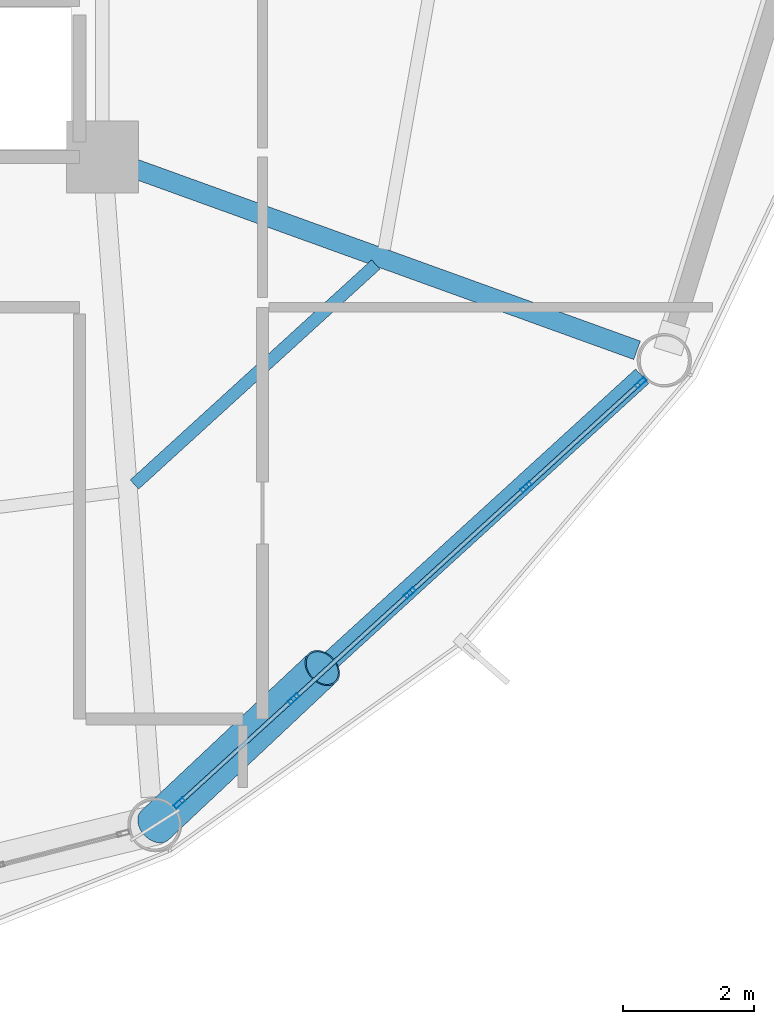
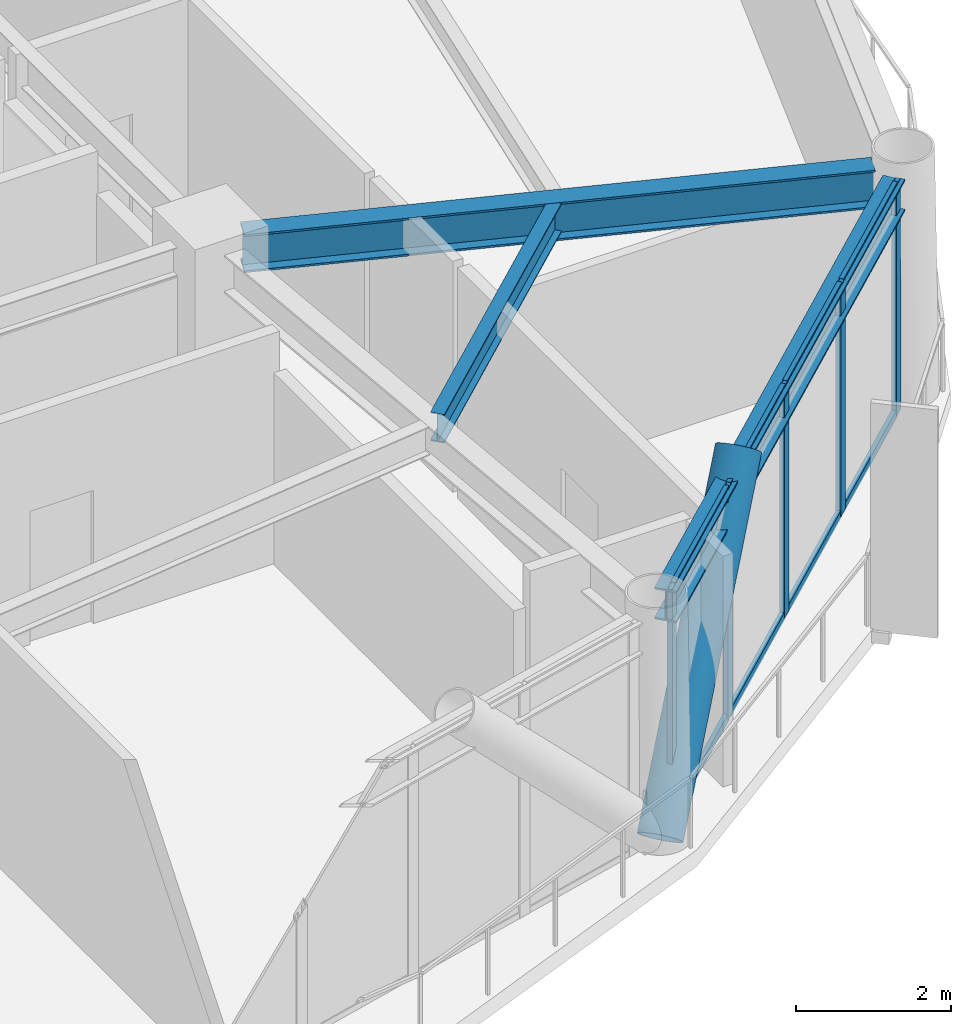
# One storey, part 12 of 24: 14 members, 3 beams, 1 element without a shape of its own.
"""IFC4 building model written with IfcOpenShell, lengths in metres."""

from ifc_helpers import new_model, si_unit, direction, frame, origin, origin_2d, place, context, subcontext, project, spatial, hollow_rectangle, hollow_circle, i_section, extrude, material, layer, layer_set, material_profile, profile_set, type_object, element, aggregate, save


model = new_model("IFC4")

# Units and contexts
model_context = context("Model", 3, precision=1e-05, world=origin(), true_north=direction((0.0, 1.0)))
body_context = subcontext(model_context, "Body", "Model", "MODEL_VIEW")
ifc_project = project(units=[si_unit("LENGTHUNIT", "METRE"), si_unit("AREAUNIT", "SQUARE_METRE"), si_unit("VOLUMEUNIT", "CUBIC_METRE"), si_unit("PLANEANGLEUNIT", "RADIAN"), si_unit("MASSUNIT", "GRAM", prefix="KILO")], contexts=[model_context])

# Site, building, storey
site_placement = place(None, origin())
site = spatial("IfcSite", under=ifc_project, at=site_placement, CompositionType="ELEMENT")
building_placement = place(site_placement, origin())
building = spatial("IfcBuilding", under=site, at=building_placement, Name="Varnakorn Sky Granary", CompositionType="ELEMENT")
storey_placement = place(building_placement, frame((0.0, 0.0, 111.0)))
storey = spatial("IfcBuildingStorey", under=building, at=storey_placement, Name="L27", CompositionType="ELEMENT", Elevation=111.0)

# Beams
ifc_material_1 = material(Name="Steel S355JR", Category="steel")
ifc_material_profile_1 = material_profile(ifc_material_1, i_section(OverallWidth=0.300048828125, OverallDepth=0.60009765625, WebThickness=0.015380859375, FlangeThickness=0.030029296875, at=origin_2d()), Name="HE 600 B")
ifc_profile_set_1 = profile_set([ifc_material_profile_1], Name="Steel S355JR")
beam_type_1 = type_object("IfcBeamType", Name="BM-RAD-Z2", PredefinedType="BEAM", material=ifc_profile_set_1)
beam_1_placement = place(storey_placement, frame((8.7451171875, -6.742919921875, 3.340087890625), z_axis=(0.940454447954, -0.339919742474, 0.0), x_axis=(0.339919742474, 0.940454447954, 0.0)))
element("IfcBeam", 1, at=beam_1_placement, inside=storey, type_object=beam_type_1, Name="Radial Floor Girder RG12 L27", PredefinedType="BEAM", context=body_context, shape_type="SweptSolid", body=[
    extrude(i_section(OverallWidth=0.300048828125, OverallDepth=0.60009765625, WebThickness=0.015380859375, FlangeThickness=0.030029296875, at=origin_2d()), origin(), (0.0, 0.0, 1.0), 8.28125),
])
ifc_material_profile_2 = material_profile(ifc_material_1, i_section(OverallWidth=0.18994140625, OverallDepth=0.449951171875, WebThickness=0.009521484375, FlangeThickness=0.0146484375, at=origin_2d()), Name="IPE 450")
ifc_profile_set_2 = profile_set([ifc_material_profile_2], Name="Steel S355JR")
beam_type_2 = type_object("IfcBeamType", Name="BM-SEC-Z2", PredefinedType="BEAM", material=ifc_profile_set_2)
beam_2_placement = place(storey_placement, frame((8.841552734375, -11.612548828125, 3.4150390625), z_axis=(0.73897801355, 0.673729541797, 0.0), x_axis=(-0.673729541797, 0.73897801355, 0.0)))
element("IfcBeam", 2, at=beam_2_placement, inside=storey, type_object=beam_type_2, Name="Secondary Floor Chord Beam MSB11 L27", PredefinedType="BEAM", context=body_context, shape_type="SweptSolid", body=[
    extrude(i_section(OverallWidth=0.18994140625, OverallDepth=0.449951171875, WebThickness=0.009521484375, FlangeThickness=0.0146484375, at=origin_2d()), origin(), (0.0, 0.0, 1.0), 4.9990234375),
])
ifc_material_profile_3 = material_profile(ifc_material_1, i_section(OverallWidth=0.300048828125, OverallDepth=0.5, WebThickness=0.014404296875, FlangeThickness=0.028076171875, at=origin_2d()), Name="HE 500 B")
ifc_profile_set_3 = profile_set([ifc_material_profile_3], Name="Steel S355JR")
beam_type_3 = type_object("IfcBeamType", Name="BM-SPD-Z2", PredefinedType="SPANDREL", material=ifc_profile_set_3)
beam_3_placement = place(storey_placement, frame((9.4130859375, -16.521484375, 3.389892578125), z_axis=(0.738808701246, 0.673915204579, 0.0), x_axis=(-0.673915204579, 0.738808701246, 0.0)))
element("IfcBeam", 3, at=beam_3_placement, inside=storey, type_object=beam_type_3, Name="Perimeter Spandrel Ring Beam RB11 L27", PredefinedType="SPANDREL", context=body_context, shape_type="SweptSolid", body=[
    extrude(i_section(OverallWidth=0.300048828125, OverallDepth=0.5, WebThickness=0.014404296875, FlangeThickness=0.028076171875, at=origin_2d()), origin(), (0.0, 0.0, 1.0), 9.744140625),
])

# Curtain wall, members
ifc_material_2 = material(Name="Anodised Bronze Aluminium Alloy 6063-T6", Category="aluminium")
ifc_layer = layer(ifc_material_2, 0.179931640625, Name="Anodised Bronze Aluminium Alloy 6063-T6")
ifc_layer_set = layer_set([ifc_layer], Name="Anodised Bronze Aluminium Alloy 6063-T6")
curtain_wall_type = type_object("IfcCurtainWallType", Name="CW-FRM-2", PredefinedType="USERDEFINED", material=ifc_layer_set)
curtain_wall_placement = place(storey_placement, origin())
curtain_wall = element("IfcCurtainWall", 4, at=curtain_wall_placement, inside=storey, type_object=curtain_wall_type, Name="Unitised Curtain Wall CW4 CW-L27-B11", ObjectType="CURTAIN WALL", PredefinedType="USERDEFINED")
ifc_material_profile_4 = material_profile(ifc_material_2, hollow_rectangle(XDim=0.070068359375, YDim=0.18505859375, WallThickness=0.00390625, at=origin_2d()), Name="ALU MULL 70x185")
ifc_profile_set_4 = profile_set([ifc_material_profile_4], Name="Anodised Bronze Aluminium Alloy 6063-T6")
member_type_1 = type_object("IfcMemberType", Name="CW-FRM-2-MULL", PredefinedType="MULLION", material=ifc_profile_set_4)
member_1_placement = place(storey_placement, frame((16.588623046875, -10.052490234375, 0.0), z_axis=(0.0, 0.0, 1.0), x_axis=(0.673654386152, -0.739046526287, 0.0)))
member_1 = element("IfcMember", 5, at=member_1_placement, type_object=member_type_1, Name="CW4 mullion 1", PredefinedType="MULLION", context=body_context, shape_type="SweptSolid", body=[
    extrude(hollow_rectangle(XDim=0.070068359375, YDim=0.18505859375, WallThickness=0.00390625, at=origin_2d()), origin(), (0.0, 0.0, 1.0), 3.639892578125),
])
member_2_placement = place(storey_placement, frame((14.83642578125, -11.6494140625, 0.0), z_axis=(0.0, 0.0, 1.0), x_axis=(0.673654386152, -0.739046526287, 0.0)))
member_2 = element("IfcMember", 6, at=member_2_placement, type_object=member_type_1, Name="CW4 mullion 2", PredefinedType="MULLION", context=body_context, shape_type="SweptSolid", body=[
    extrude(hollow_rectangle(XDim=0.070068359375, YDim=0.18505859375, WallThickness=0.00390625, at=origin_2d()), origin(), (0.0, 0.0, 1.0), 3.639892578125),
])
member_3_placement = place(storey_placement, frame((13.058349609375, -13.270263671875, 0.0), z_axis=(0.0, 0.0, 1.0), x_axis=(0.673654386152, -0.739046526287, 0.0)))
member_3 = element("IfcMember", 7, at=member_3_placement, type_object=member_type_1, Name="CW4 mullion 3", PredefinedType="MULLION", context=body_context, shape_type="SweptSolid", body=[
    extrude(hollow_rectangle(XDim=0.070068359375, YDim=0.18505859375, WallThickness=0.00390625, at=origin_2d()), origin(), (0.0, 0.0, 1.0), 3.639892578125),
])
member_4_placement = place(storey_placement, frame((11.2802734375, -14.890869140625, 0.0), z_axis=(0.0, 0.0, 1.0), x_axis=(0.673654386152, -0.739046526287, 0.0)))
member_4 = element("IfcMember", 8, at=member_4_placement, type_object=member_type_1, Name="CW4 mullion 4", PredefinedType="MULLION", context=body_context, shape_type="SweptSolid", body=[
    extrude(hollow_rectangle(XDim=0.070068359375, YDim=0.18505859375, WallThickness=0.00390625, at=origin_2d()), origin(), (0.0, 0.0, 1.0), 3.639892578125),
])
member_5_placement = place(storey_placement, frame((9.528076171875, -16.488037109375, 0.0), z_axis=(0.0, 0.0, 1.0), x_axis=(0.673654386152, -0.739046526287, 0.0)))
member_5 = element("IfcMember", 9, at=member_5_placement, type_object=member_type_1, Name="CW4 mullion 5", PredefinedType="MULLION", context=body_context, shape_type="SweptSolid", body=[
    extrude(hollow_rectangle(XDim=0.070068359375, YDim=0.18505859375, WallThickness=0.00390625, at=origin_2d()), origin(), (0.0, 0.0, 1.0), 3.639892578125),
])
ifc_material_profile_5 = material_profile(ifc_material_2, hollow_rectangle(XDim=0.06494140625, YDim=0.1201171875, WallThickness=0.00341796875, at=origin_2d()), Name="ALU TRAN 65x120")
ifc_profile_set_5 = profile_set([ifc_material_profile_5], Name="Anodised Bronze Aluminium Alloy 6063-T6")
member_type_2 = type_object("IfcMemberType", Name="CW-FRM-2-TRAN", PredefinedType="USERDEFINED", material=ifc_profile_set_5)
member_6_placement = place(storey_placement, frame((16.562744140625, -10.075927734375, 0.032470703125), z_axis=(-0.739031973261, -0.673670351506, 0.0), x_axis=(0.673670351506, -0.739031973261, 0.0)))
member_6 = element("IfcMember", 10, at=member_6_placement, type_object=member_type_2, Name="CW4 transom 1.1", ObjectType="TRANSOM", PredefinedType="USERDEFINED", context=body_context, shape_type="SweptSolid", body=[
    extrude(hollow_rectangle(XDim=0.06494140625, YDim=0.1201171875, WallThickness=0.00341796875, at=origin_2d()), origin(), (0.0, 0.0, 1.0), 2.30078125),
])
member_7_placement = place(storey_placement, frame((16.562744140625, -10.075927734375, 3.607421875), z_axis=(-0.739031973261, -0.673670351506, 0.0), x_axis=(0.673670351506, -0.739031973261, 0.0)))
member_7 = element("IfcMember", 11, at=member_7_placement, type_object=member_type_2, Name="CW4 transom 1.2", ObjectType="TRANSOM", PredefinedType="USERDEFINED", context=body_context, shape_type="SweptSolid", body=[
    extrude(hollow_rectangle(XDim=0.06494140625, YDim=0.1201171875, WallThickness=0.00341796875, at=origin_2d()), origin(), (0.0, 0.0, 1.0), 2.30078125),
])
member_8_placement = place(storey_placement, frame((14.810546875, -11.673095703125, 0.032470703125), z_axis=(-0.739064502056, -0.673634664934, 0.0), x_axis=(0.673634664934, -0.739064502056, 0.0)))
member_8 = element("IfcMember", 12, at=member_8_placement, type_object=member_type_2, Name="CW4 transom 2.1", ObjectType="TRANSOM", PredefinedType="USERDEFINED", context=body_context, shape_type="SweptSolid", body=[
    extrude(hollow_rectangle(XDim=0.06494140625, YDim=0.1201171875, WallThickness=0.00341796875, at=origin_2d()), origin(), (0.0, 0.0, 1.0), 2.3359375),
])
member_9_placement = place(storey_placement, frame((14.810546875, -11.673095703125, 3.607421875), z_axis=(-0.739064502056, -0.673634664934, 0.0), x_axis=(0.673634664934, -0.739064502056, 0.0)))
member_9 = element("IfcMember", 13, at=member_9_placement, type_object=member_type_2, Name="CW4 transom 2.2", ObjectType="TRANSOM", PredefinedType="USERDEFINED", context=body_context, shape_type="SweptSolid", body=[
    extrude(hollow_rectangle(XDim=0.06494140625, YDim=0.1201171875, WallThickness=0.00341796875, at=origin_2d()), origin(), (0.0, 0.0, 1.0), 2.3359375),
])
member_10_placement = place(storey_placement, frame((13.032470703125, -13.2939453125, 0.032470703125), z_axis=(-0.739064502056, -0.673634664934, 0.0), x_axis=(0.673634664934, -0.739064502056, 0.0)))
member_10 = element("IfcMember", 14, at=member_10_placement, type_object=member_type_2, Name="CW4 transom 3.1", ObjectType="TRANSOM", PredefinedType="USERDEFINED", context=body_context, shape_type="SweptSolid", body=[
    extrude(hollow_rectangle(XDim=0.06494140625, YDim=0.1201171875, WallThickness=0.00341796875, at=origin_2d()), origin(), (0.0, 0.0, 1.0), 2.3359375),
])
member_11_placement = place(storey_placement, frame((13.032470703125, -13.2939453125, 3.607421875), z_axis=(-0.739064502056, -0.673634664934, 0.0), x_axis=(0.673634664934, -0.739064502056, 0.0)))
member_11 = element("IfcMember", 15, at=member_11_placement, type_object=member_type_2, Name="CW4 transom 3.2", ObjectType="TRANSOM", PredefinedType="USERDEFINED", context=body_context, shape_type="SweptSolid", body=[
    extrude(hollow_rectangle(XDim=0.06494140625, YDim=0.1201171875, WallThickness=0.00341796875, at=origin_2d()), origin(), (0.0, 0.0, 1.0), 2.3359375),
])
member_12_placement = place(storey_placement, frame((11.25439453125, -14.91455078125, 0.032470703125), z_axis=(-0.739031973261, -0.673670351506, 0.0), x_axis=(0.673670351506, -0.739031973261, 0.0)))
member_12 = element("IfcMember", 16, at=member_12_placement, type_object=member_type_2, Name="CW4 transom 4.1", ObjectType="TRANSOM", PredefinedType="USERDEFINED", context=body_context, shape_type="SweptSolid", body=[
    extrude(hollow_rectangle(XDim=0.06494140625, YDim=0.1201171875, WallThickness=0.00341796875, at=origin_2d()), origin(), (0.0, 0.0, 1.0), 2.30078125),
])
member_13_placement = place(storey_placement, frame((11.25439453125, -14.91455078125, 3.607421875), z_axis=(-0.739031973261, -0.673670351506, 0.0), x_axis=(0.673670351506, -0.739031973261, 0.0)))
member_13 = element("IfcMember", 17, at=member_13_placement, type_object=member_type_2, Name="CW4 transom 4.2", ObjectType="TRANSOM", PredefinedType="USERDEFINED", context=body_context, shape_type="SweptSolid", body=[
    extrude(hollow_rectangle(XDim=0.06494140625, YDim=0.1201171875, WallThickness=0.00341796875, at=origin_2d()), origin(), (0.0, 0.0, 1.0), 2.30078125),
])
aggregate(curtain_wall, [member_1, member_2, member_3, member_4, member_5, member_6, member_7, member_8, member_9, member_10, member_11, member_12, member_13])

# Member
ifc_material_3 = material(Name="Steel S460M", Category="steel")
ifc_material_profile_6 = material_profile(ifc_material_3, hollow_circle(Radius=0.304931640625, WallThickness=0.022216796875, at=origin_2d()), Name="CHS 610x22")
ifc_profile_set_6 = profile_set([ifc_material_profile_6], Name="Steel S460M")
member_type_3 = type_object("IfcMemberType", Name="MB-DIAG-T1", PredefinedType="BRACE", material=ifc_profile_set_6)
member_14_placement = place(storey_placement, frame((9.157470703125, -16.825927734375, 0.0), z_axis=(0.495220752272, 0.465548141602, 0.733499375848), x_axis=(-0.684941747241, 0.728597833435, 0.0)))
element("IfcMember", 18, at=member_14_placement, inside=storey, type_object=member_type_3, Name="Perimeter CHS Diagrid Brace DG11 L27", PredefinedType="BRACE", context=body_context, shape_type="SweptSolid", body=[
    extrude(hollow_circle(Radius=0.304931640625, WallThickness=0.022216796875, at=origin_2d()), origin(), (0.0, 0.0, 1.0), 5.1669921875),
])

save(model, "model.ifc")
